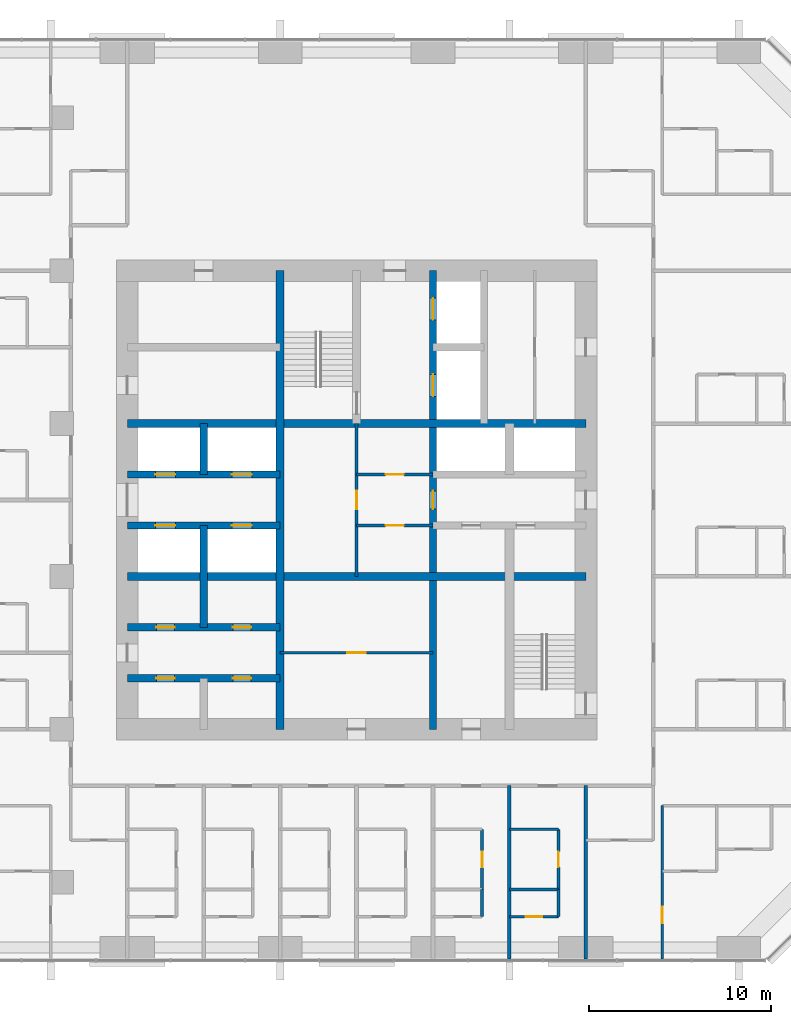
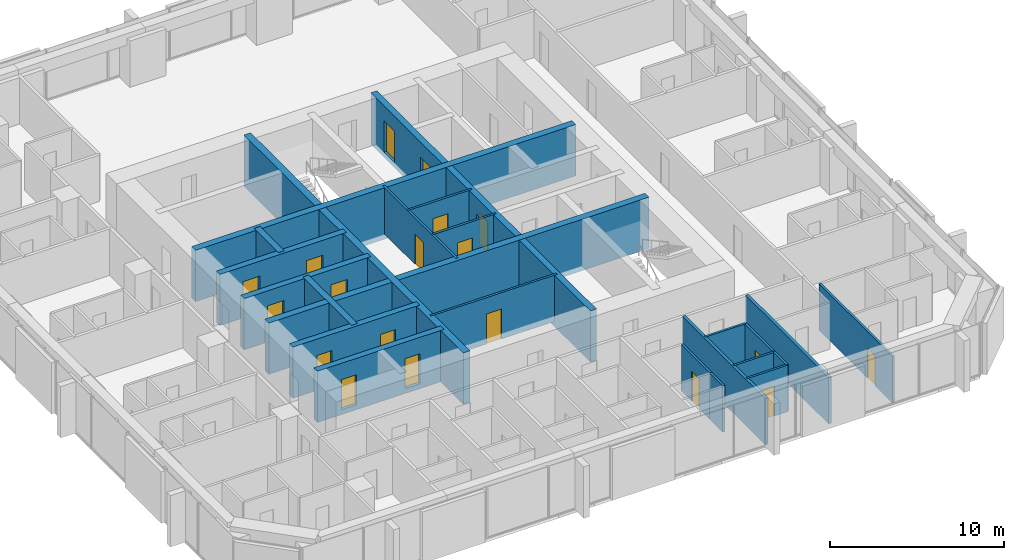
# One storey, part 10 of 14: 24 walls, 19 doors, 19 openings.
"""IFC4 building model written with IfcOpenShell, lengths in metres."""

from ifc_helpers import new_model, si_unit, direction, frame, frame_2d, origin, place, context, subcontext, project, spatial, rectangle, extrude, material, layer, layer_set, type_object, element, fill, save


model = new_model("IFC4")

# Units and contexts
model_context = context("Model", 3, precision=1e-05, world=origin(), true_north=direction((0.0, 1.0)))
body_context = subcontext(model_context, "Body", "Model", "MODEL_VIEW")
ifc_project = project(units=[si_unit("LENGTHUNIT", "METRE"), si_unit("AREAUNIT", "SQUARE_METRE"), si_unit("VOLUMEUNIT", "CUBIC_METRE"), si_unit("PLANEANGLEUNIT", "RADIAN"), si_unit("MASSUNIT", "GRAM", prefix="KILO")], contexts=[model_context])

# Site, building, storey
site_placement = place(None, origin())
site = spatial("IfcSite", under=ifc_project, at=site_placement, CompositionType="ELEMENT")
building_placement = place(site_placement, origin())
building = spatial("IfcBuilding", under=site, at=building_placement, Name="Dunama Terrace Hotel", CompositionType="ELEMENT")
storey_placement = place(building_placement, frame((0.0, 0.0, 213.0)))
storey = spatial("IfcBuildingStorey", under=building, at=storey_placement, Name="L55", CompositionType="ELEMENT", Elevation=213.0)

# Wall, opening, door
ifc_material_1 = material(Name="Gypsum board partition", Category="masonry")
ifc_layer_1 = layer(ifc_material_1, 0.14990234375)
ifc_layer_set_1 = layer_set([ifc_layer_1], Name="Bathroom partition 150")
wall_type_1 = type_object("IfcWallType", Name="Bathroom partition 150", PredefinedType="PARTITIONING", material=ifc_layer_set_1)
wall_1_placement = place(storey_placement, frame((36.300048828125, 8.0, 0.0), z_axis=(0.0, 0.0, 1.0), x_axis=(0.0, 1.0, 0.0)))
wall_1 = element("IfcWall", 1, at=wall_1_placement, inside=storey, type_object=wall_type_1, Name="Bathroom partition 150 L55", PredefinedType="PARTITIONING", context=body_context, shape_type="SweptSolid", body=[
    extrude(rectangle(XDim=3.300048828125, YDim=0.14990234375, at=frame_2d((1.64990234375, 0.0))), origin(), (0.0, 0.0, 1.0), 3.25),
])
opening_1_placement = place(wall_1_placement, frame((1.22509765625, 0.0, 0.0)))
opening_1 = element("IfcOpeningElement", 2, at=opening_1_placement, cuts=wall_1, Name="Opening L55-022", PredefinedType="OPENING", context=body_context, shape_type="SweptSolid", body=[
    extrude(rectangle(XDim=0.85009765625, YDim=2.10009765625, at=frame_2d((0.425048828125, 1.050048828125))), frame((0.0, 0.0849609375, 0.0), z_axis=(0.0, -1.0, 0.0), x_axis=(1.0, 0.0, 0.0)), (0.0, 0.0, 1.0), 0.169921875),
])
ifc_material_2 = material(Name="Timber door with steel frame", Category="steel")
door_type_1 = type_object("IfcDoorType", Name="Bathroom door 850", OperationType="SINGLE_SWING_LEFT", PredefinedType="DOOR", material=ifc_material_2)
door_1_placement = place(opening_1_placement, origin())
door_1 = element("IfcDoor", 3, at=door_1_placement, inside=storey, type_object=door_type_1, Name="Door to en-suite bathroom L55-022, type D2", OperationType="SINGLE_SWING_LEFT", OverallHeight=2.10009765625, OverallWidth=0.85009765625, PredefinedType="DOOR", context=body_context, shape_type="SweptSolid", body=[
    extrude(rectangle(XDim=0.85009765625, YDim=2.10009765625, at=frame_2d((0.425048828125, 1.050048828125))), frame((0.0, 0.02490234375, 0.0), z_axis=(0.0, -1.0, 0.0), x_axis=(1.0, 0.0, 0.0)), (0.0, 0.0, 1.0), 0.050048828125),
])
fill(opening_1, door_1)

wall_2_placement = place(storey_placement, frame((40.5, 8.0, 0.0), z_axis=(0.0, 0.0, 1.0), x_axis=(0.0, 1.0, 0.0)))
wall_2 = element("IfcWall", 4, at=wall_2_placement, inside=storey, type_object=wall_type_1, Name="Bathroom partition 150 L55", PredefinedType="PARTITIONING", context=body_context, shape_type="SweptSolid", body=[
    extrude(rectangle(XDim=3.300048828125, YDim=0.14990234375, at=frame_2d((1.64990234375, 0.0))), origin(), (0.0, 0.0, 1.0), 3.25),
])
opening_2_placement = place(wall_2_placement, frame((1.22509765625, 0.0, 0.0)))
opening_2 = element("IfcOpeningElement", 5, at=opening_2_placement, cuts=wall_2, Name="Opening L55-025", PredefinedType="OPENING", context=body_context, shape_type="SweptSolid", body=[
    extrude(rectangle(XDim=0.85009765625, YDim=2.10009765625, at=frame_2d((0.425048828125, 1.050048828125))), frame((0.0, 0.0849609375, 0.0), z_axis=(0.0, -1.0, 0.0), x_axis=(1.0, 0.0, 0.0)), (0.0, 0.0, 1.0), 0.169921875),
])
door_2_placement = place(opening_2_placement, origin())
door_2 = element("IfcDoor", 6, at=door_2_placement, inside=storey, type_object=door_type_1, Name="Door to en-suite bathroom L55-025, type D2", OperationType="SINGLE_SWING_LEFT", OverallHeight=2.10009765625, OverallWidth=0.85009765625, PredefinedType="DOOR", context=body_context, shape_type="SweptSolid", body=[
    extrude(rectangle(XDim=0.85009765625, YDim=2.10009765625, at=frame_2d((0.425048828125, 1.050048828125))), frame((0.0, 0.02490234375, 0.0), z_axis=(0.0, -1.0, 0.0), x_axis=(1.0, 0.0, 0.0)), (0.0, 0.0, 1.0), 0.050048828125),
])
fill(opening_2, door_2)

# Walls
wall_3_placement = place(storey_placement, frame((37.800048828125, 11.300048828125, 0.0), z_axis=(0.0, 0.0, 1.0), x_axis=(1.0, 0.0, 0.0)))
element("IfcWall", 7, at=wall_3_placement, inside=storey, type_object=wall_type_1, Name="Bathroom partition 150 L55", PredefinedType="PARTITIONING", context=body_context, shape_type="SweptSolid", body=[
    extrude(rectangle(XDim=2.699951171875, YDim=0.14990234375, at=frame_2d((1.35009765625, 0.0))), origin(), (0.0, 0.0, 1.0), 3.25),
])
ifc_material_3 = material(Name="Concrete C50/60", Category="concrete")
ifc_layer_2 = layer(ifc_material_3, 0.39990234375)
ifc_layer_set_2 = layer_set([ifc_layer_2], Name="Core inner wall 400")
wall_type_2 = type_object("IfcWallType", Name="Core inner wall 400", PredefinedType="SHEAR", material=ifc_layer_set_2)
wall_4_placement = place(storey_placement, frame((21.0, 22.39990234375, -0.35009765625), z_axis=(0.0, 0.0, 1.0), x_axis=(0.0, 1.0, 0.0)))
element("IfcWall", 8, at=wall_4_placement, inside=storey, type_object=wall_type_2, Name="Core inner wall 400 L55", PredefinedType="SHEAR", context=body_context, shape_type="SweptSolid", body=[
    extrude(rectangle(XDim=5.60009765625, YDim=0.39990234375, at=frame_2d((2.800048828125, 0.0))), origin(), (0.0, 0.0, 1.0), 3.60009765625),
])
wall_5_placement = place(storey_placement, frame((21.0, 30.800048828125, -0.35009765625), z_axis=(0.0, 0.0, 1.0), x_axis=(0.0, 1.0, 0.0)))
element("IfcWall", 9, at=wall_5_placement, inside=storey, type_object=wall_type_2, Name="Core inner wall 400 L55", PredefinedType="SHEAR", context=body_context, shape_type="SweptSolid", body=[
    extrude(rectangle(XDim=2.800048828125, YDim=0.39990234375, at=frame_2d((1.39990234375, 0.0))), origin(), (0.0, 0.0, 1.0), 3.60009765625),
])

# Wall, openings, doors
wall_6_placement = place(storey_placement, frame((33.60009765625, 16.800048828125, -0.35009765625), z_axis=(0.0, 0.0, 1.0), x_axis=(0.0, 1.0, 0.0)))
wall_6 = element("IfcWall", 10, at=wall_6_placement, inside=storey, type_object=wall_type_2, Name="Core inner wall 400 L55", PredefinedType="SHEAR", context=body_context, shape_type="SweptSolid", body=[
    extrude(rectangle(XDim=25.199951171875, YDim=0.39990234375, at=frame_2d((12.60009765625, 0.0))), origin(), (0.0, 0.0, 1.0), 3.60009765625),
])
opening_3_placement = place(wall_6_placement, frame((22.5, 0.0, 0.35009765625)))
opening_3 = element("IfcOpeningElement", 11, at=opening_3_placement, cuts=wall_6, Name="Opening L55-007", PredefinedType="OPENING", context=body_context, shape_type="SweptSolid", body=[
    extrude(rectangle(XDim=1.199951171875, YDim=2.199951171875, at=frame_2d((0.60009765625, 1.10009765625))), frame((0.0, 0.2099609375, 0.0), z_axis=(0.0, -1.0, 0.0), x_axis=(1.0, 0.0, 0.0)), (0.0, 0.0, 1.0), 0.419921875),
])
opening_4_placement = place(wall_6_placement, frame((18.300048828125, 0.0, 0.35009765625)))
opening_4 = element("IfcOpeningElement", 12, at=opening_4_placement, cuts=wall_6, Name="Opening L55-008", PredefinedType="OPENING", context=body_context, shape_type="SweptSolid", body=[
    extrude(rectangle(XDim=1.199951171875, YDim=2.199951171875, at=frame_2d((0.60009765625, 1.10009765625))), frame((0.0, 0.2099609375, 0.0), z_axis=(0.0, -1.0, 0.0), x_axis=(1.0, 0.0, 0.0)), (0.0, 0.0, 1.0), 0.419921875),
])
opening_5_placement = place(wall_6_placement, frame((12.10009765625, 0.0, 0.35009765625)))
opening_5 = element("IfcOpeningElement", 13, at=opening_5_placement, cuts=wall_6, Name="Opening L55-076", PredefinedType="OPENING", context=body_context, shape_type="SweptSolid", body=[
    extrude(rectangle(XDim=1.0, YDim=2.10009765625, at=frame_2d((0.5, 1.050048828125))), frame((0.0, 0.2099609375, 0.0), z_axis=(0.0, -1.0, 0.0), x_axis=(1.0, 0.0, 0.0)), (0.0, 0.0, 1.0), 0.419921875),
])
ifc_material_4 = material(Name="Stainless steel lift door", Category="steel")
door_type_2 = type_object("IfcDoorType", Name="Firefighting lift landing door 1200", OperationType="DOUBLE_DOOR_SLIDING", PredefinedType="DOOR", material=ifc_material_4)
door_3_placement = place(opening_3_placement, origin())
door_3 = element("IfcDoor", 14, at=door_3_placement, inside=storey, type_object=door_type_2, Name="Landing door FL1 L55-007, type LD2", OperationType="DOUBLE_DOOR_SLIDING", OverallHeight=2.199951171875, OverallWidth=1.199951171875, PredefinedType="DOOR", context=body_context, shape_type="SweptSolid", body=[
    extrude(rectangle(XDim=1.199951171875, YDim=2.199951171875, at=frame_2d((0.60009765625, 1.10009765625))), frame((0.0, 0.02490234375, 0.0), z_axis=(0.0, -1.0, 0.0), x_axis=(1.0, 0.0, 0.0)), (0.0, 0.0, 1.0), 0.050048828125),
])
fill(opening_3, door_3)
door_4_placement = place(opening_4_placement, origin())
door_4 = element("IfcDoor", 15, at=door_4_placement, inside=storey, type_object=door_type_2, Name="Landing door FL2 L55-008, type LD2", OperationType="DOUBLE_DOOR_SLIDING", OverallHeight=2.199951171875, OverallWidth=1.199951171875, PredefinedType="DOOR", context=body_context, shape_type="SweptSolid", body=[
    extrude(rectangle(XDim=1.199951171875, YDim=2.199951171875, at=frame_2d((0.60009765625, 1.10009765625))), frame((0.0, 0.02490234375, 0.0), z_axis=(0.0, -1.0, 0.0), x_axis=(1.0, 0.0, 0.0)), (0.0, 0.0, 1.0), 0.050048828125),
])
fill(opening_4, door_4)
ifc_material_5 = material(Name="Timber door with steel frame", Category="steel")
door_type_3 = type_object("IfcDoorType", Name="Service door 1000", OperationType="SINGLE_SWING_LEFT", PredefinedType="DOOR", material=ifc_material_5)
door_5_placement = place(opening_5_placement, origin())
door_5 = element("IfcDoor", 16, at=door_5_placement, inside=storey, type_object=door_type_3, Name="Door to staff passage L55-076, type D7", OperationType="SINGLE_SWING_LEFT", OverallHeight=2.10009765625, OverallWidth=1.0, PredefinedType="DOOR", context=body_context, shape_type="SweptSolid", body=[
    extrude(rectangle(XDim=1.0, YDim=2.10009765625, at=frame_2d((0.5, 1.050048828125))), frame((0.0, 0.02490234375, 0.0), z_axis=(0.0, -1.0, 0.0), x_axis=(1.0, 0.0, 0.0)), (0.0, 0.0, 1.0), 0.050048828125),
])
fill(opening_5, door_5)

wall_7_placement = place(storey_placement, frame((16.800048828125, 19.60009765625, -0.35009765625), z_axis=(0.0, 0.0, 1.0), x_axis=(1.0, 0.0, 0.0)))
wall_7 = element("IfcWall", 17, at=wall_7_placement, inside=storey, type_object=wall_type_2, Name="Core inner wall 400 L55", PredefinedType="SHEAR", context=body_context, shape_type="SweptSolid", body=[
    extrude(rectangle(XDim=8.39990234375, YDim=0.39990234375, at=frame_2d((4.199951171875, 0.0))), origin(), (0.0, 0.0, 1.0), 3.60009765625),
])
opening_6_placement = place(wall_7_placement, frame((1.60009765625, 0.0, 0.35009765625)))
opening_6 = element("IfcOpeningElement", 18, at=opening_6_placement, cuts=wall_7, Name="Opening L55-069", PredefinedType="OPENING", context=body_context, shape_type="SweptSolid", body=[
    extrude(rectangle(XDim=1.0, YDim=2.10009765625, at=frame_2d((0.5, 1.050048828125))), frame((0.0, 0.2099609375, 0.0), z_axis=(0.0, -1.0, 0.0), x_axis=(1.0, 0.0, 0.0)), (0.0, 0.0, 1.0), 0.419921875),
])
opening_7_placement = place(wall_7_placement, frame((5.800048828125, 0.0, 0.35009765625)))
opening_7 = element("IfcOpeningElement", 19, at=opening_7_placement, cuts=wall_7, Name="Opening L55-070", PredefinedType="OPENING", context=body_context, shape_type="SweptSolid", body=[
    extrude(rectangle(XDim=1.0, YDim=2.10009765625, at=frame_2d((0.5, 1.050048828125))), frame((0.0, 0.2099609375, 0.0), z_axis=(0.0, -1.0, 0.0), x_axis=(1.0, 0.0, 0.0)), (0.0, 0.0, 1.0), 0.419921875),
])
door_6_placement = place(opening_6_placement, frame((1.0, 0.0, 0.0), z_axis=(0.0, 0.0, 1.0), x_axis=(-1.0, 0.0, 0.0)))
door_6 = element("IfcDoor", 20, at=door_6_placement, inside=storey, type_object=door_type_3, Name="Door to service riser L55-069, type D7", OperationType="SINGLE_SWING_RIGHT", OverallHeight=2.10009765625, OverallWidth=1.0, PredefinedType="DOOR", context=body_context, shape_type="SweptSolid", body=[
    extrude(rectangle(XDim=1.0, YDim=2.10009765625, at=frame_2d((0.5, 1.050048828125))), frame((0.0, 0.025146484375, 0.0), z_axis=(0.0, -1.0, 0.0), x_axis=(1.0, 0.0, 0.0)), (0.0, 0.0, 1.0), 0.050048828125),
])
fill(opening_6, door_6)
door_7_placement = place(opening_7_placement, frame((1.0, 0.0, 0.0), z_axis=(0.0, 0.0, 1.0), x_axis=(-1.0, 0.0, 0.0)))
door_7 = element("IfcDoor", 21, at=door_7_placement, inside=storey, type_object=door_type_3, Name="Door to linen store L55-070, type D7", OperationType="SINGLE_SWING_RIGHT", OverallHeight=2.10009765625, OverallWidth=1.0, PredefinedType="DOOR", context=body_context, shape_type="SweptSolid", body=[
    extrude(rectangle(XDim=1.0, YDim=2.10009765625, at=frame_2d((0.5, 1.050048828125))), frame((0.0, 0.025146484375, 0.0), z_axis=(0.0, -1.0, 0.0), x_axis=(1.0, 0.0, 0.0)), (0.0, 0.0, 1.0), 0.050048828125),
])
fill(opening_7, door_7)

wall_8_placement = place(storey_placement, frame((16.800048828125, 22.39990234375, -0.35009765625), z_axis=(0.0, 0.0, 1.0), x_axis=(1.0, 0.0, 0.0)))
wall_8 = element("IfcWall", 22, at=wall_8_placement, inside=storey, type_object=wall_type_2, Name="Core inner wall 400 L55", PredefinedType="SHEAR", context=body_context, shape_type="SweptSolid", body=[
    extrude(rectangle(XDim=8.39990234375, YDim=0.39990234375, at=frame_2d((4.199951171875, 0.0))), origin(), (0.0, 0.0, 1.0), 3.60009765625),
])
opening_8_placement = place(wall_8_placement, frame((1.60009765625, 0.0, 0.35009765625)))
opening_8 = element("IfcOpeningElement", 23, at=opening_8_placement, cuts=wall_8, Name="Opening L55-071", PredefinedType="OPENING", context=body_context, shape_type="SweptSolid", body=[
    extrude(rectangle(XDim=1.0, YDim=2.10009765625, at=frame_2d((0.5, 1.050048828125))), frame((0.0, 0.2099609375, 0.0), z_axis=(0.0, -1.0, 0.0), x_axis=(1.0, 0.0, 0.0)), (0.0, 0.0, 1.0), 0.419921875),
])
opening_9_placement = place(wall_8_placement, frame((5.800048828125, 0.0, 0.35009765625)))
opening_9 = element("IfcOpeningElement", 24, at=opening_9_placement, cuts=wall_8, Name="Opening L55-072", PredefinedType="OPENING", context=body_context, shape_type="SweptSolid", body=[
    extrude(rectangle(XDim=1.0, YDim=2.10009765625, at=frame_2d((0.5, 1.050048828125))), frame((0.0, 0.2099609375, 0.0), z_axis=(0.0, -1.0, 0.0), x_axis=(1.0, 0.0, 0.0)), (0.0, 0.0, 1.0), 0.419921875),
])
door_8_placement = place(opening_8_placement, origin())
door_8 = element("IfcDoor", 25, at=door_8_placement, inside=storey, type_object=door_type_3, Name="Door to housekeeping store L55-071, type D7", OperationType="SINGLE_SWING_LEFT", OverallHeight=2.10009765625, OverallWidth=1.0, PredefinedType="DOOR", context=body_context, shape_type="SweptSolid", body=[
    extrude(rectangle(XDim=1.0, YDim=2.10009765625, at=frame_2d((0.5, 1.050048828125))), frame((0.0, 0.02490234375, 0.0), z_axis=(0.0, -1.0, 0.0), x_axis=(1.0, 0.0, 0.0)), (0.0, 0.0, 1.0), 0.050048828125),
])
fill(opening_8, door_8)
door_9_placement = place(opening_9_placement, origin())
door_9 = element("IfcDoor", 26, at=door_9_placement, inside=storey, type_object=door_type_3, Name="Door to staff accessible wc L55-072, type D7", OperationType="SINGLE_SWING_RIGHT", OverallHeight=2.10009765625, OverallWidth=1.0, PredefinedType="DOOR", context=body_context, shape_type="SweptSolid", body=[
    extrude(rectangle(XDim=1.0, YDim=2.10009765625, at=frame_2d((0.5, 1.050048828125))), frame((0.0, 0.02490234375, 0.0), z_axis=(0.0, -1.0, 0.0), x_axis=(1.0, 0.0, 0.0)), (0.0, 0.0, 1.0), 0.050048828125),
])
fill(opening_9, door_9)

wall_9_placement = place(storey_placement, frame((16.800048828125, 28.0, -0.35009765625), z_axis=(0.0, 0.0, 1.0), x_axis=(1.0, 0.0, 0.0)))
wall_9 = element("IfcWall", 27, at=wall_9_placement, inside=storey, type_object=wall_type_2, Name="Core inner wall 400 L55", PredefinedType="SHEAR", context=body_context, shape_type="SweptSolid", body=[
    extrude(rectangle(XDim=8.39990234375, YDim=0.39990234375, at=frame_2d((4.199951171875, 0.0))), origin(), (0.0, 0.0, 1.0), 3.60009765625),
])
opening_10_placement = place(wall_9_placement, frame((1.550048828125, 0.0, 0.35009765625)))
opening_10 = element("IfcOpeningElement", 28, at=opening_10_placement, cuts=wall_9, Name="Opening L55-003", PredefinedType="OPENING", context=body_context, shape_type="SweptSolid", body=[
    extrude(rectangle(XDim=1.10009765625, YDim=2.199951171875, at=frame_2d((0.550048828125, 1.10009765625))), frame((0.0, 0.2099609375, 0.0), z_axis=(0.0, -1.0, 0.0), x_axis=(1.0, 0.0, 0.0)), (0.0, 0.0, 1.0), 0.419921875),
])
opening_11_placement = place(wall_9_placement, frame((5.75, 0.0, 0.35009765625)))
opening_11 = element("IfcOpeningElement", 29, at=opening_11_placement, cuts=wall_9, Name="Opening L55-004", PredefinedType="OPENING", context=body_context, shape_type="SweptSolid", body=[
    extrude(rectangle(XDim=1.10009765625, YDim=2.199951171875, at=frame_2d((0.550048828125, 1.10009765625))), frame((0.0, 0.2099609375, 0.0), z_axis=(0.0, -1.0, 0.0), x_axis=(1.0, 0.0, 0.0)), (0.0, 0.0, 1.0), 0.419921875),
])
ifc_material_6 = material(Name="Stainless steel lift door", Category="steel")
door_type_4 = type_object("IfcDoorType", Name="Lift landing door 1100", OperationType="DOUBLE_DOOR_SLIDING", PredefinedType="DOOR", material=ifc_material_6)
door_10_placement = place(opening_10_placement, origin())
door_10 = element("IfcDoor", 30, at=door_10_placement, inside=storey, type_object=door_type_4, Name="Landing door PC1 L55-003, type LD1", OperationType="DOUBLE_DOOR_SLIDING", OverallHeight=2.199951171875, OverallWidth=1.10009765625, PredefinedType="DOOR", context=body_context, shape_type="SweptSolid", body=[
    extrude(rectangle(XDim=1.10009765625, YDim=2.199951171875, at=frame_2d((0.550048828125, 1.10009765625))), frame((0.0, 0.02490234375, 0.0), z_axis=(0.0, -1.0, 0.0), x_axis=(1.0, 0.0, 0.0)), (0.0, 0.0, 1.0), 0.050048828125),
])
fill(opening_10, door_10)
door_11_placement = place(opening_11_placement, origin())
door_11 = element("IfcDoor", 31, at=door_11_placement, inside=storey, type_object=door_type_4, Name="Landing door PC2 L55-004, type LD1", OperationType="DOUBLE_DOOR_SLIDING", OverallHeight=2.199951171875, OverallWidth=1.10009765625, PredefinedType="DOOR", context=body_context, shape_type="SweptSolid", body=[
    extrude(rectangle(XDim=1.10009765625, YDim=2.199951171875, at=frame_2d((0.550048828125, 1.10009765625))), frame((0.0, 0.02490234375, 0.0), z_axis=(0.0, -1.0, 0.0), x_axis=(1.0, 0.0, 0.0)), (0.0, 0.0, 1.0), 0.050048828125),
])
fill(opening_11, door_11)

wall_10_placement = place(storey_placement, frame((16.800048828125, 30.800048828125, -0.35009765625), z_axis=(0.0, 0.0, 1.0), x_axis=(1.0, 0.0, 0.0)))
wall_10 = element("IfcWall", 32, at=wall_10_placement, inside=storey, type_object=wall_type_2, Name="Core inner wall 400 L55", PredefinedType="SHEAR", context=body_context, shape_type="SweptSolid", body=[
    extrude(rectangle(XDim=8.39990234375, YDim=0.39990234375, at=frame_2d((4.199951171875, 0.0))), origin(), (0.0, 0.0, 1.0), 3.60009765625),
])
opening_12_placement = place(wall_10_placement, frame((1.550048828125, 0.0, 0.35009765625)))
opening_12 = element("IfcOpeningElement", 33, at=opening_12_placement, cuts=wall_10, Name="Opening L55-005", PredefinedType="OPENING", context=body_context, shape_type="SweptSolid", body=[
    extrude(rectangle(XDim=1.10009765625, YDim=2.199951171875, at=frame_2d((0.550048828125, 1.10009765625))), frame((0.0, 0.2099609375, 0.0), z_axis=(0.0, -1.0, 0.0), x_axis=(1.0, 0.0, 0.0)), (0.0, 0.0, 1.0), 0.419921875),
])
opening_13_placement = place(wall_10_placement, frame((5.75, 0.0, 0.35009765625)))
opening_13 = element("IfcOpeningElement", 34, at=opening_13_placement, cuts=wall_10, Name="Opening L55-006", PredefinedType="OPENING", context=body_context, shape_type="SweptSolid", body=[
    extrude(rectangle(XDim=1.10009765625, YDim=2.199951171875, at=frame_2d((0.550048828125, 1.10009765625))), frame((0.0, 0.2099609375, 0.0), z_axis=(0.0, -1.0, 0.0), x_axis=(1.0, 0.0, 0.0)), (0.0, 0.0, 1.0), 0.419921875),
])
door_12_placement = place(opening_12_placement, origin())
door_12 = element("IfcDoor", 35, at=door_12_placement, inside=storey, type_object=door_type_4, Name="Landing door PC3 L55-005, type LD1", OperationType="DOUBLE_DOOR_SLIDING", OverallHeight=2.199951171875, OverallWidth=1.10009765625, PredefinedType="DOOR", context=body_context, shape_type="SweptSolid", body=[
    extrude(rectangle(XDim=1.10009765625, YDim=2.199951171875, at=frame_2d((0.550048828125, 1.10009765625))), frame((0.0, 0.02490234375, 0.0), z_axis=(0.0, -1.0, 0.0), x_axis=(1.0, 0.0, 0.0)), (0.0, 0.0, 1.0), 0.050048828125),
])
fill(opening_12, door_12)
door_13_placement = place(opening_13_placement, origin())
door_13 = element("IfcDoor", 36, at=door_13_placement, inside=storey, type_object=door_type_4, Name="Landing door PC4 L55-006, type LD1", OperationType="DOUBLE_DOOR_SLIDING", OverallHeight=2.199951171875, OverallWidth=1.10009765625, PredefinedType="DOOR", context=body_context, shape_type="SweptSolid", body=[
    extrude(rectangle(XDim=1.10009765625, YDim=2.199951171875, at=frame_2d((0.550048828125, 1.10009765625))), frame((0.0, 0.02490234375, 0.0), z_axis=(0.0, -1.0, 0.0), x_axis=(1.0, 0.0, 0.0)), (0.0, 0.0, 1.0), 0.050048828125),
])
fill(opening_13, door_13)

# Walls
ifc_material_7 = material(Name="Concrete C50/60", Category="concrete")
ifc_layer_3 = layer(ifc_material_7, 0.449951171875)
ifc_layer_set_3 = layer_set([ifc_layer_3], Name="Core inner wall 450")
wall_type_3 = type_object("IfcWallType", Name="Core inner wall 450", PredefinedType="SHEAR", material=ifc_layer_set_3)
for number, where, z_axis, x_axis, name in (
    (37, (25.199951171875, 16.800048828125, -0.35009765625), (0.0, 0.0, 1.0), (0.0, 1.0, 0.0), "Core inner wall 450 L55"),
    (38, (16.800048828125, 25.199951171875, -0.35009765625), (0.0, 0.0, 1.0), (1.0, 0.0, 0.0), "Core inner wall 450 L55"),
    (39, (16.800048828125, 33.60009765625, -0.35009765625), (0.0, 0.0, 1.0), (1.0, 0.0, 0.0), "Core inner wall 450 L55"),
):
    element("IfcWall", number, at=place(storey_placement, frame(where, z_axis=z_axis, x_axis=x_axis)), inside=storey, type_object=wall_type_3, Name=name, PredefinedType="SHEAR", context=body_context, shape_type="SweptSolid", body=[
        extrude(rectangle(XDim=25.199951171875, YDim=0.449951171875, at=frame_2d((12.60009765625, 0.0))), origin(), (0.0, 0.0, 1.0), 3.60009765625),
    ])
ifc_material_8 = material(Name="Concrete blockwork", Category="masonry")
ifc_layer_4 = layer(ifc_material_8, 0.199951171875)
ifc_layer_set_4 = layer_set([ifc_layer_4], Name="Party wall 200")
wall_type_4 = type_object("IfcWallType", Name="Party wall 200", PredefinedType="PARTITIONING", material=ifc_layer_set_4)
for number, where, z_axis, x_axis, name in (
    (40, (37.800048828125, 4.181884765625, 0.0), (0.0, 0.0, 1.0), (0.0, 1.0, 0.0), "Party wall 200 L55"),
    (41, (42.0, 4.181884765625, 0.0), (0.0, 0.0, 1.0), (0.0, 1.0, 0.0), "Party wall 200 L55"),
):
    element("IfcWall", number, at=place(storey_placement, frame(where, z_axis=z_axis, x_axis=x_axis)), inside=storey, type_object=wall_type_4, Name=name, PredefinedType="PARTITIONING", context=body_context, shape_type="SweptSolid", body=[
        extrude(rectangle(XDim=9.51806640625, YDim=0.199951171875, at=frame_2d((4.759033203125, 0.0))), origin(), (0.0, 0.0, 1.0), 3.25),
    ])

# Wall, opening, door
ifc_material_9 = material(Name="Gypsum board partition", Category="masonry")
ifc_layer_5 = layer(ifc_material_9, 0.14990234375)
ifc_layer_set_5 = layer_set([ifc_layer_5], Name="Room partition 150")
wall_type_5 = type_object("IfcWallType", Name="Room partition 150", PredefinedType="PARTITIONING", material=ifc_layer_set_5)
wall_11_placement = place(storey_placement, frame((29.39990234375, 25.199951171875, 0.0), z_axis=(0.0, 0.0, 1.0), x_axis=(0.0, 1.0, 0.0)))
wall_11 = element("IfcWall", 42, at=wall_11_placement, inside=storey, type_object=wall_type_5, Name="Room partition 150 L55", PredefinedType="PARTITIONING", context=body_context, shape_type="SweptSolid", body=[
    extrude(rectangle(XDim=8.400146484375, YDim=0.14990234375, at=frame_2d((4.2001953125, 0.0))), origin(), (0.0, 0.0, 1.0), 3.25),
])
opening_14_placement = place(wall_11_placement, frame((3.699951171875, 0.0, 0.0)))
opening_14 = element("IfcOpeningElement", 43, at=opening_14_placement, cuts=wall_11, Name="Opening L55-079", PredefinedType="OPENING", context=body_context, shape_type="SweptSolid", body=[
    extrude(rectangle(XDim=1.0, YDim=2.10009765625, at=frame_2d((0.5, 1.050048828125))), frame((0.0, 0.0849609375, 0.0), z_axis=(0.0, -1.0, 0.0), x_axis=(1.0, 0.0, 0.0)), (0.0, 0.0, 1.0), 0.169921875),
])
door_14_placement = place(opening_14_placement, origin())
door_14 = element("IfcDoor", 44, at=door_14_placement, inside=storey, type_object=door_type_3, Name="Door to guest amenities store L55-079, type D7", OperationType="SINGLE_SWING_LEFT", OverallHeight=2.10009765625, OverallWidth=1.0, PredefinedType="DOOR", context=body_context, shape_type="SweptSolid", body=[
    extrude(rectangle(XDim=1.0, YDim=2.10009765625, at=frame_2d((0.5, 1.050048828125))), frame((0.0, 0.02490234375, 0.0), z_axis=(0.0, -1.0, 0.0), x_axis=(1.0, 0.0, 0.0)), (0.0, 0.0, 1.0), 0.050048828125),
])
fill(opening_14, door_14)

# Walls
for number, where, z_axis, x_axis, name in (
    (45, (36.300048828125, 6.5, 0.0), (0.0, 0.0, 1.0), (0.0, 1.0, 0.0), "Room partition 150 L55"),
    (46, (40.5, 6.5, 0.0), (0.0, 0.0, 1.0), (0.0, 1.0, 0.0), "Room partition 150 L55"),
):
    element("IfcWall", number, at=place(storey_placement, frame(where, z_axis=z_axis, x_axis=x_axis)), inside=storey, type_object=wall_type_5, Name=name, PredefinedType="PARTITIONING", context=body_context, shape_type="SweptSolid", body=[
        extrude(rectangle(XDim=1.5, YDim=0.14990234375, at=frame_2d((0.75, 0.0))), origin(), (0.0, 0.0, 1.0), 3.25),
    ])

# Wall, opening, door
wall_12_placement = place(storey_placement, frame((46.199951171875, 4.181884765625, 0.0), z_axis=(0.0, 0.0, 1.0), x_axis=(0.0, 1.0, 0.0)))
wall_12 = element("IfcWall", 47, at=wall_12_placement, inside=storey, type_object=wall_type_5, Name="Room partition 150 L55", PredefinedType="PARTITIONING", context=body_context, shape_type="SweptSolid", body=[
    extrude(rectangle(XDim=8.418212890625, YDim=0.14990234375, at=frame_2d((4.208984375, 0.0))), origin(), (0.0, 0.0, 1.0), 3.25),
])
opening_15_placement = place(wall_12_placement, frame((1.968017578125, 0.0, 0.0)))
opening_15 = element("IfcOpeningElement", 48, at=opening_15_placement, cuts=wall_12, Name="Opening L55-055", PredefinedType="OPENING", context=body_context, shape_type="SweptSolid", body=[
    extrude(rectangle(XDim=0.89990234375, YDim=2.10009765625, at=frame_2d((0.449951171875, 1.050048828125))), frame((0.0, 0.0849609375, 0.0), z_axis=(0.0, -1.0, 0.0), x_axis=(1.0, 0.0, 0.0)), (0.0, 0.0, 1.0), 0.169921875),
])
ifc_material_10 = material(Name="Timber door with steel frame", Category="steel")
door_type_5 = type_object("IfcDoorType", Name="Suite internal door 900", OperationType="SINGLE_SWING_LEFT", PredefinedType="DOOR", material=ifc_material_10)
door_15_placement = place(opening_15_placement, frame((0.89990234375, 0.0, 0.0), z_axis=(0.0, 0.0, 1.0), x_axis=(-1.0, 0.0, 0.0)))
door_15 = element("IfcDoor", 49, at=door_15_placement, inside=storey, type_object=door_type_5, Name="Door to corner suite bedroom L55-055, type D16", OperationType="SINGLE_SWING_LEFT", OverallHeight=2.10009765625, OverallWidth=0.89990234375, PredefinedType="DOOR", context=body_context, shape_type="SweptSolid", body=[
    extrude(rectangle(XDim=0.89990234375, YDim=2.10009765625, at=frame_2d((0.449951171875, 1.050048828125))), frame((0.0, 0.025146484375, 0.0), z_axis=(0.0, -1.0, 0.0), x_axis=(1.0, 0.0, 0.0)), (0.0, 0.0, 1.0), 0.050048828125),
])
fill(opening_15, door_15)

wall_13_placement = place(storey_placement, frame((37.800048828125, 6.5, 0.0), z_axis=(0.0, 0.0, 1.0), x_axis=(1.0, 0.0, 0.0)))
wall_13 = element("IfcWall", 50, at=wall_13_placement, inside=storey, type_object=wall_type_5, Name="Room partition 150 L55", PredefinedType="PARTITIONING", context=body_context, shape_type="SweptSolid", body=[
    extrude(rectangle(XDim=2.699951171875, YDim=0.14990234375, at=frame_2d((1.35009765625, 0.0))), origin(), (0.0, 0.0, 1.0), 3.25),
])
opening_16_placement = place(wall_13_placement, frame((0.89990234375, 0.0, 0.0)))
opening_16 = element("IfcOpeningElement", 51, at=opening_16_placement, cuts=wall_13, Name="Opening L55-026", PredefinedType="OPENING", context=body_context, shape_type="SweptSolid", body=[
    extrude(rectangle(XDim=0.89990234375, YDim=2.10009765625, at=frame_2d((0.449951171875, 1.050048828125))), frame((0.0, 0.0849609375, 0.0), z_axis=(0.0, -1.0, 0.0), x_axis=(1.0, 0.0, 0.0)), (0.0, 0.0, 1.0), 0.169921875),
])
door_16_placement = place(opening_16_placement, origin())
door_16 = element("IfcDoor", 52, at=door_16_placement, inside=storey, type_object=door_type_5, Name="Door to walk-in wardrobe L55-026, type D16", OperationType="SINGLE_SWING_LEFT", OverallHeight=2.10009765625, OverallWidth=0.89990234375, PredefinedType="DOOR", context=body_context, shape_type="SweptSolid", body=[
    extrude(rectangle(XDim=0.89990234375, YDim=2.10009765625, at=frame_2d((0.449951171875, 1.050048828125))), frame((0.0, 0.02490234375, 0.0), z_axis=(0.0, -1.0, 0.0), x_axis=(1.0, 0.0, 0.0)), (0.0, 0.0, 1.0), 0.050048828125),
])
fill(opening_16, door_16)

# Wall
wall_14_placement = place(storey_placement, frame((37.800048828125, 8.0, 0.0), z_axis=(0.0, 0.0, 1.0), x_axis=(1.0, 0.0, 0.0)))
element("IfcWall", 53, at=wall_14_placement, inside=storey, type_object=wall_type_5, Name="Room partition 150 L55", PredefinedType="PARTITIONING", context=body_context, shape_type="SweptSolid", body=[
    extrude(rectangle(XDim=2.699951171875, YDim=0.14990234375, at=frame_2d((1.35009765625, 0.0))), origin(), (0.0, 0.0, 1.0), 3.25),
])

# Wall, opening, door
wall_15_placement = place(storey_placement, frame((25.199951171875, 21.0, 0.0), z_axis=(0.0, 0.0, 1.0), x_axis=(1.0, 0.0, 0.0)))
wall_15 = element("IfcWall", 54, at=wall_15_placement, inside=storey, type_object=wall_type_5, Name="Room partition 150 L55", PredefinedType="PARTITIONING", context=body_context, shape_type="SweptSolid", body=[
    extrude(rectangle(XDim=8.400146484375, YDim=0.14990234375, at=frame_2d((4.2001953125, 0.0))), origin(), (0.0, 0.0, 1.0), 3.25),
])
opening_17_placement = place(wall_15_placement, frame((3.699951171875, 0.0, 0.0)))
opening_17 = element("IfcOpeningElement", 55, at=opening_17_placement, cuts=wall_15, Name="Opening L55-087", PredefinedType="OPENING", context=body_context, shape_type="SweptSolid", body=[
    extrude(rectangle(XDim=1.0, YDim=2.10009765625, at=frame_2d((0.5, 1.050048828125))), frame((0.0, 0.0849609375, 0.0), z_axis=(0.0, -1.0, 0.0), x_axis=(1.0, 0.0, 0.0)), (0.0, 0.0, 1.0), 0.169921875),
])
door_17_placement = place(opening_17_placement, origin())
door_17 = element("IfcDoor", 56, at=door_17_placement, inside=storey, type_object=door_type_3, Name="Door to stair pressurisation fan room L55-087, type D7", OperationType="SINGLE_SWING_LEFT", OverallHeight=2.10009765625, OverallWidth=1.0, PredefinedType="DOOR", context=body_context, shape_type="SweptSolid", body=[
    extrude(rectangle(XDim=1.0, YDim=2.10009765625, at=frame_2d((0.5, 1.050048828125))), frame((0.0, 0.02490234375, 0.0), z_axis=(0.0, -1.0, 0.0), x_axis=(1.0, 0.0, 0.0)), (0.0, 0.0, 1.0), 0.050048828125),
])
fill(opening_17, door_17)

wall_16_placement = place(storey_placement, frame((29.39990234375, 28.0, 0.0), z_axis=(0.0, 0.0, 1.0), x_axis=(1.0, 0.0, 0.0)))
wall_16 = element("IfcWall", 57, at=wall_16_placement, inside=storey, type_object=wall_type_5, Name="Room partition 150 L55", PredefinedType="PARTITIONING", context=body_context, shape_type="SweptSolid", body=[
    extrude(rectangle(XDim=4.2001953125, YDim=0.14990234375, at=frame_2d((2.10009765625, 0.0))), origin(), (0.0, 0.0, 1.0), 3.25),
])
opening_18_placement = place(wall_16_placement, frame((1.60009765625, 0.0, 0.0)))
opening_18 = element("IfcOpeningElement", 58, at=opening_18_placement, cuts=wall_16, Name="Opening L55-077", PredefinedType="OPENING", context=body_context, shape_type="SweptSolid", body=[
    extrude(rectangle(XDim=1.0, YDim=2.10009765625, at=frame_2d((0.5, 1.050048828125))), frame((0.0, 0.0849609375, 0.0), z_axis=(0.0, -1.0, 0.0), x_axis=(1.0, 0.0, 0.0)), (0.0, 0.0, 1.0), 0.169921875),
])
door_18_placement = place(opening_18_placement, frame((1.0, 0.0, 0.0), z_axis=(0.0, 0.0, 1.0), x_axis=(-1.0, 0.0, 0.0)))
door_18 = element("IfcDoor", 59, at=door_18_placement, inside=storey, type_object=door_type_3, Name="Door to staff break room L55-077, type D7", OperationType="SINGLE_SWING_LEFT", OverallHeight=2.10009765625, OverallWidth=1.0, PredefinedType="DOOR", context=body_context, shape_type="SweptSolid", body=[
    extrude(rectangle(XDim=1.0, YDim=2.10009765625, at=frame_2d((0.5, 1.050048828125))), frame((0.0, 0.025146484375, 0.0), z_axis=(0.0, -1.0, 0.0), x_axis=(1.0, 0.0, 0.0)), (0.0, 0.0, 1.0), 0.050048828125),
])
fill(opening_18, door_18)

wall_17_placement = place(storey_placement, frame((29.39990234375, 30.800048828125, 0.0), z_axis=(0.0, 0.0, 1.0), x_axis=(1.0, 0.0, 0.0)))
wall_17 = element("IfcWall", 60, at=wall_17_placement, inside=storey, type_object=wall_type_5, Name="Room partition 150 L55", PredefinedType="PARTITIONING", context=body_context, shape_type="SweptSolid", body=[
    extrude(rectangle(XDim=4.2001953125, YDim=0.14990234375, at=frame_2d((2.10009765625, 0.0))), origin(), (0.0, 0.0, 1.0), 3.25),
])
opening_19_placement = place(wall_17_placement, frame((1.60009765625, 0.0, 0.0)))
opening_19 = element("IfcOpeningElement", 61, at=opening_19_placement, cuts=wall_17, Name="Opening L55-078", PredefinedType="OPENING", context=body_context, shape_type="SweptSolid", body=[
    extrude(rectangle(XDim=1.0, YDim=2.10009765625, at=frame_2d((0.5, 1.050048828125))), frame((0.0, 0.0849609375, 0.0), z_axis=(0.0, -1.0, 0.0), x_axis=(1.0, 0.0, 0.0)), (0.0, 0.0, 1.0), 0.169921875),
])
door_19_placement = place(opening_19_placement, origin())
door_19 = element("IfcDoor", 62, at=door_19_placement, inside=storey, type_object=door_type_3, Name="Door to it equipment room L55-078, type D7", OperationType="SINGLE_SWING_RIGHT", OverallHeight=2.10009765625, OverallWidth=1.0, PredefinedType="DOOR", context=body_context, shape_type="SweptSolid", body=[
    extrude(rectangle(XDim=1.0, YDim=2.10009765625, at=frame_2d((0.5, 1.050048828125))), frame((0.0, 0.02490234375, 0.0), z_axis=(0.0, -1.0, 0.0), x_axis=(1.0, 0.0, 0.0)), (0.0, 0.0, 1.0), 0.050048828125),
])
fill(opening_19, door_19)

save(model, "model.ifc")
